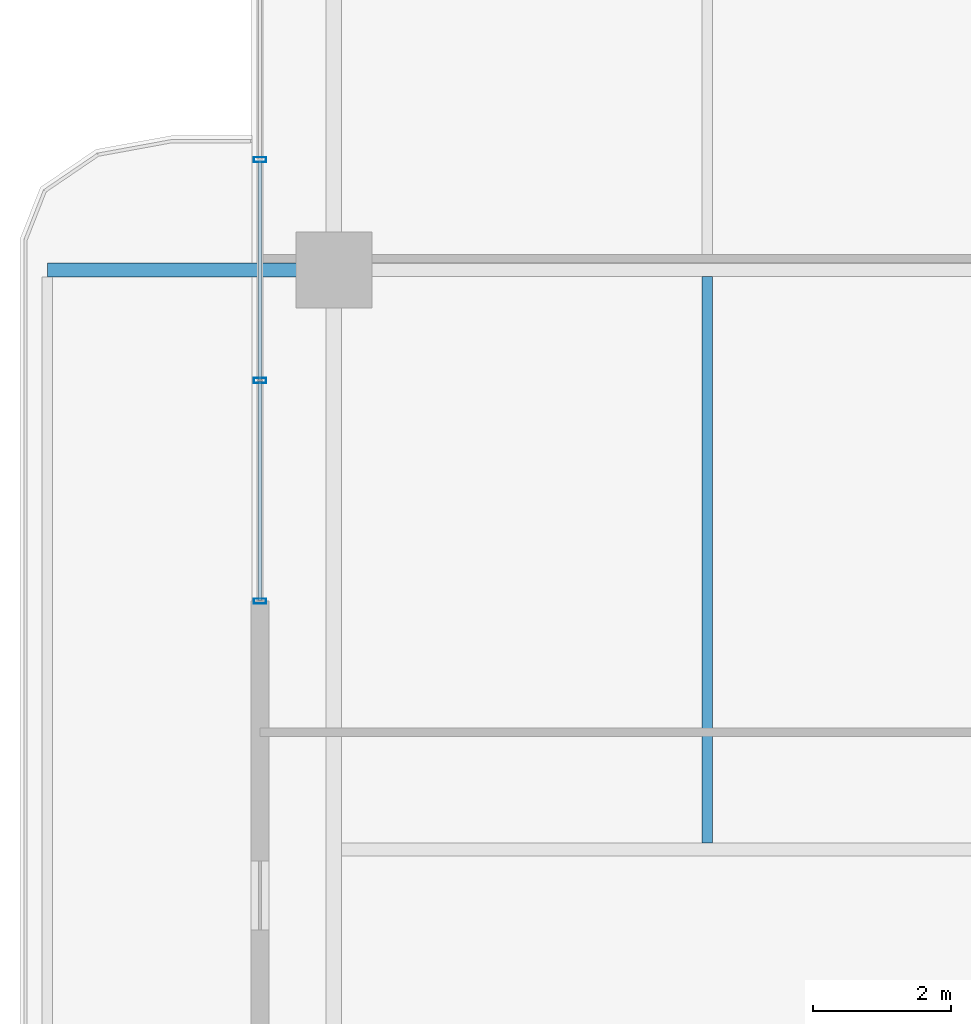
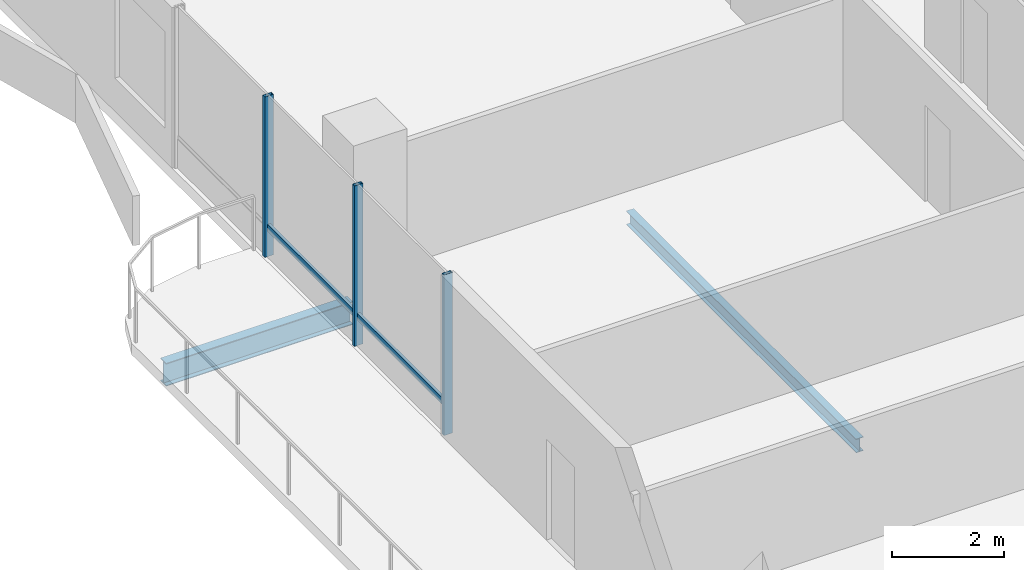
# One storey, part 4 of 24: 5 members, 2 beams, 1 element without a shape of its own.
"""IFC4 building model written with IfcOpenShell, lengths in metres."""

from ifc_helpers import new_model, si_unit, direction, frame, origin, origin_2d, place, context, subcontext, project, spatial, hollow_rectangle, i_section, extrude, material, layer, layer_set, material_profile, profile_set, type_object, element, aggregate, save


model = new_model("IFC4")

# Units and contexts
model_context = context("Model", 3, precision=1e-05, world=origin(), true_north=direction((0.0, 1.0)))
body_context = subcontext(model_context, "Body", "Model", "MODEL_VIEW")
ifc_project = project(units=[si_unit("LENGTHUNIT", "METRE"), si_unit("AREAUNIT", "SQUARE_METRE"), si_unit("VOLUMEUNIT", "CUBIC_METRE"), si_unit("PLANEANGLEUNIT", "RADIAN"), si_unit("MASSUNIT", "GRAM", prefix="KILO")], contexts=[model_context])

# Site, building, storey
site_placement = place(None, origin())
site = spatial("IfcSite", under=ifc_project, at=site_placement, CompositionType="ELEMENT")
building_placement = place(site_placement, origin())
building = spatial("IfcBuilding", under=site, at=building_placement, Name="Belovzor Exchange Tower", CompositionType="ELEMENT")
storey_placement = place(building_placement, frame((0.0, 0.0, 237.449951171875)))
storey = spatial("IfcBuildingStorey", under=building, at=storey_placement, Name="L59", CompositionType="ELEMENT", Elevation=237.449951171875)

# Beams
ifc_material_1 = material(Name="Steel S355", Category="steel")
ifc_material_profile_1 = material_profile(ifc_material_1, i_section(OverallWidth=0.199951171875, OverallDepth=0.5, WebThickness=0.01025390625, FlangeThickness=0.01611328125, at=origin_2d()))
ifc_profile_set_1 = profile_set([ifc_material_profile_1], Name="Steel S355")
beam_type_1 = type_object("IfcBeamType", Name="Planted Balcony Cantilever Beam IPE 500", PredefinedType="BEAM", material=ifc_profile_set_1)
beam_1_placement = place(storey_placement, frame((2.697021484375, 28.800048828125, -0.5), z_axis=(-1.0, 0.0, 0.0), x_axis=(0.0, -1.0, 0.0)))
element("IfcBeam", 1, at=beam_1_placement, inside=storey, type_object=beam_type_1, Name="BC-500 Planted Balcony Cantilever Beam IPE 500", PredefinedType="BEAM", context=body_context, shape_type="SweptSolid", body=[
    extrude(i_section(OverallWidth=0.199951171875, OverallDepth=0.5, WebThickness=0.01025390625, FlangeThickness=0.01611328125, at=origin_2d()), origin(), (0.0, 0.0, 1.0), 3.85009765625),
])
ifc_material_2 = material(Name="Steel S355", Category="steel")
ifc_material_profile_2 = material_profile(ifc_material_2, i_section(OverallWidth=0.14990234375, OverallDepth=0.300048828125, WebThickness=0.007080078125, FlangeThickness=0.0107421875, at=origin_2d()))
ifc_profile_set_2 = profile_set([ifc_material_profile_2], Name="Steel S355")
beam_type_2 = type_object("IfcBeamType", Name="Secondary Trim Floor Joist IPE 300", PredefinedType="BEAM", material=ifc_profile_set_2)
beam_2_placement = place(storey_placement, frame((8.4130859375, 20.4951171875, -0.39990234375), z_axis=(0.0, 1.0, 0.0), x_axis=(-1.0, 0.0, 0.0)))
element("IfcBeam", 2, at=beam_2_placement, inside=storey, type_object=beam_type_2, Name="FJ-300 Secondary Trim Floor Joist IPE 300", PredefinedType="BEAM", context=body_context, shape_type="SweptSolid", body=[
    extrude(i_section(OverallWidth=0.14990234375, OverallDepth=0.300048828125, WebThickness=0.007080078125, FlangeThickness=0.0107421875, at=origin_2d()), origin(), (0.0, 0.0, 1.0), 8.2099609375),
])

# Curtain wall, members
ifc_material_3 = material(Name="Anodised Aluminium Framing", Category="aluminium")
ifc_layer = layer(ifc_material_3, 0.179931640625)
ifc_layer_set = layer_set([ifc_layer], Name="Anodised Aluminium Framing")
curtain_wall_type = type_object("IfcCurtainWallType", Name="Recessed Loggia Low-Iron Triple-Glazed Curtain Wall", PredefinedType="NOTDEFINED", material=ifc_layer_set)
curtain_wall_placement = place(storey_placement, origin())
curtain_wall = element("IfcCurtainWall", 3, at=curtain_wall_placement, inside=storey, type_object=curtain_wall_type, Name="CW3 Recessed Loggia Low-Iron Triple-Glazed Curtain Wall L59", PredefinedType="NOTDEFINED")
ifc_material_4 = material(Name="Steel S355", Category="steel")
ifc_material_profile_3 = material_profile(ifc_material_4, hollow_rectangle(XDim=0.074951171875, YDim=0.179931640625, WallThickness=0.0048828125, at=origin_2d()))
ifc_profile_set_3 = profile_set([ifc_material_profile_3], Name="Steel S355")
member_type_1 = type_object("IfcMemberType", Name="Thermally Broken Curtain Wall Mullion 180x75", PredefinedType="MULLION", material=ifc_profile_set_3)
member_1_placement = place(storey_placement, frame((1.929931640625, 24.0, 0.0), z_axis=(0.0, 0.0, 1.0), x_axis=(0.0, 1.0, 0.0)))
member_1 = element("IfcMember", 4, at=member_1_placement, type_object=member_type_1, Name="CW-M180 Curtain Wall Mullion 1", PredefinedType="MULLION", context=body_context, shape_type="SweptSolid", body=[
    extrude(hollow_rectangle(XDim=0.074951171875, YDim=0.179931640625, WallThickness=0.0048828125, at=origin_2d()), origin(), (0.0, 0.0, 1.0), 3.5),
])
member_2_placement = place(storey_placement, frame((1.929931640625, 27.199951171875, 0.0), z_axis=(0.0, 0.0, 1.0), x_axis=(0.0, 1.0, 0.0)))
member_2 = element("IfcMember", 5, at=member_2_placement, type_object=member_type_1, Name="CW-M180 Curtain Wall Mullion 2", PredefinedType="MULLION", context=body_context, shape_type="SweptSolid", body=[
    extrude(hollow_rectangle(XDim=0.074951171875, YDim=0.179931640625, WallThickness=0.0048828125, at=origin_2d()), origin(), (0.0, 0.0, 1.0), 3.5),
])
member_3_placement = place(storey_placement, frame((1.929931640625, 30.39990234375, 0.0), z_axis=(0.0, 0.0, 1.0), x_axis=(0.0, 1.0, 0.0)))
member_3 = element("IfcMember", 6, at=member_3_placement, type_object=member_type_1, Name="CW-M180 Curtain Wall Mullion 3", PredefinedType="MULLION", context=body_context, shape_type="SweptSolid", body=[
    extrude(hollow_rectangle(XDim=0.074951171875, YDim=0.179931640625, WallThickness=0.0048828125, at=origin_2d()), origin(), (0.0, 0.0, 1.0), 3.5),
])
ifc_material_5 = material(Name="Steel S355", Category="steel")
ifc_material_profile_4 = material_profile(ifc_material_5, hollow_rectangle(XDim=0.06005859375, YDim=0.14990234375, WallThickness=0.00390625, at=origin_2d()))
ifc_profile_set_4 = profile_set([ifc_material_profile_4], Name="Steel S355")
member_type_2 = type_object("IfcMemberType", Name="Thermally Broken Curtain Wall Transom 150x60", PredefinedType="USERDEFINED", material=ifc_profile_set_4)
member_4_placement = place(storey_placement, frame((1.929931640625, 24.008056640625, 0.630126953125), z_axis=(0.0, 1.0, 0.0), x_axis=(-1.0, 0.0, 0.0)))
member_4 = element("IfcMember", 7, at=member_4_placement, type_object=member_type_2, Name="CW-T150 Curtain Wall Transom 1", ObjectType="TRANSOM", PredefinedType="USERDEFINED", context=body_context, shape_type="SweptSolid", body=[
    extrude(hollow_rectangle(XDim=0.06005859375, YDim=0.14990234375, WallThickness=0.00390625, at=origin_2d()), origin(), (0.0, 0.0, 1.0), 3.183837890625),
])
member_5_placement = place(storey_placement, frame((1.929931640625, 27.2080078125, 0.630126953125), z_axis=(0.0, 1.0, 0.0), x_axis=(-1.0, 0.0, 0.0)))
member_5 = element("IfcMember", 8, at=member_5_placement, type_object=member_type_2, Name="CW-T150 Curtain Wall Transom 2", ObjectType="TRANSOM", PredefinedType="USERDEFINED", context=body_context, shape_type="SweptSolid", body=[
    extrude(hollow_rectangle(XDim=0.06005859375, YDim=0.14990234375, WallThickness=0.00390625, at=origin_2d()), origin(), (0.0, 0.0, 1.0), 3.18408203125),
])
aggregate(curtain_wall, [member_1, member_2, member_3, member_4, member_5])

save(model, "model.ifc")
